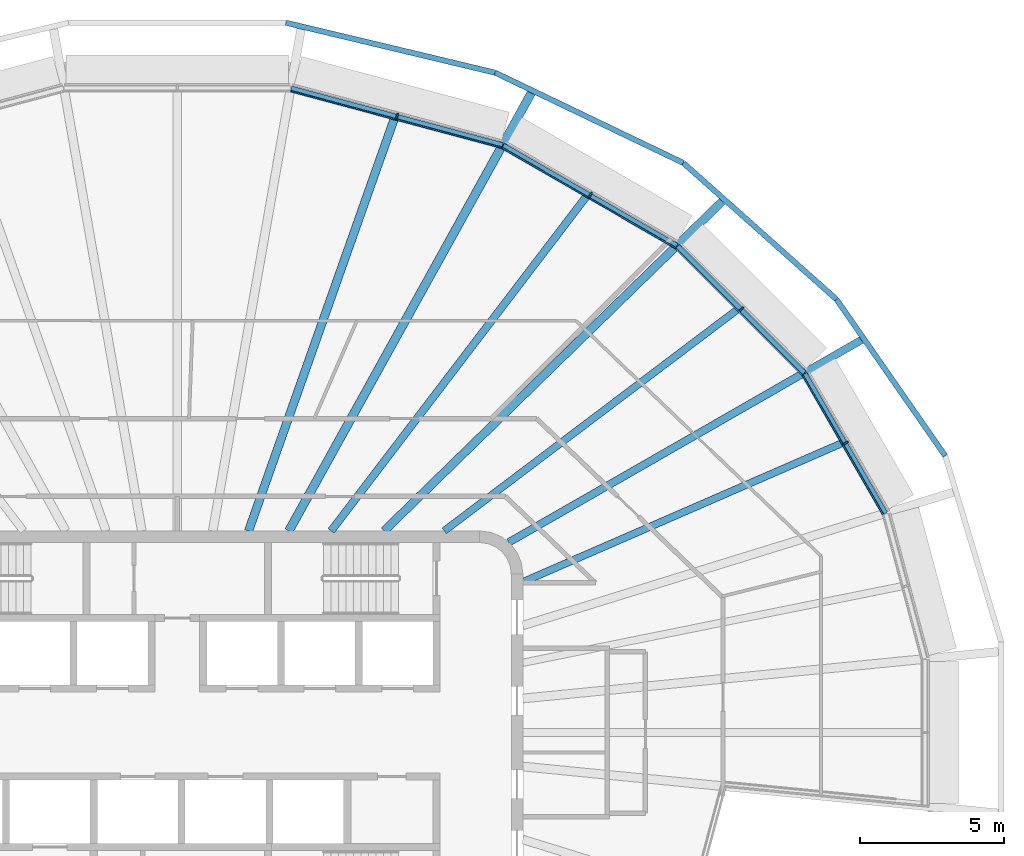
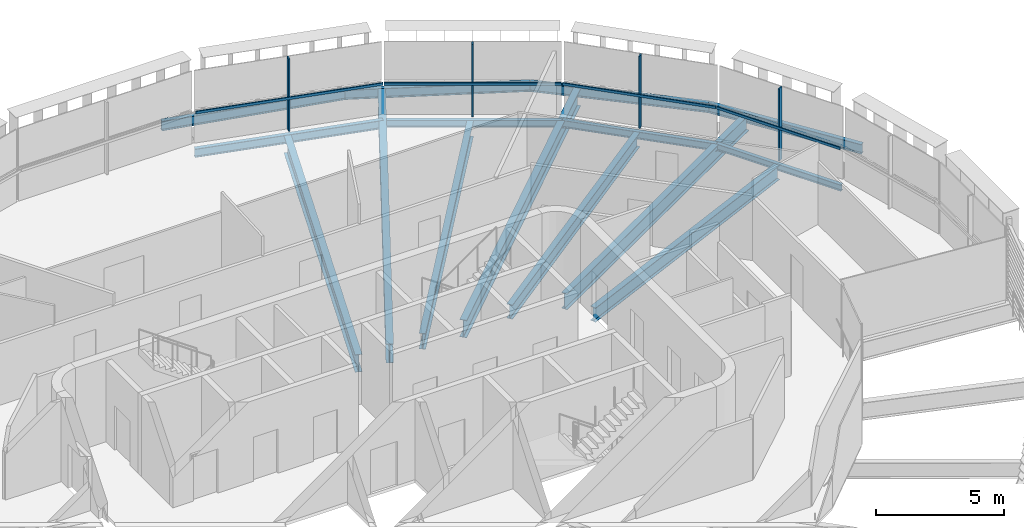
# One storey, part 6 of 18: 15 beams, 8 members, 4 elements without a shape of their own.
"""IFC4 building model written with IfcOpenShell, lengths in metres."""

from ifc_helpers import new_model, si_unit, direction, frame, origin, origin_2d, place, context, subcontext, project, spatial, rectangle, i_section, extrude, material, layer, layer_set, material_profile, profile_set, type_object, element, aggregate, save


model = new_model("IFC4")

# Units and contexts
model_context = context("Model", 3, precision=1e-05, world=origin(), true_north=direction((0.0, 1.0)))
body_context = subcontext(model_context, "Body", "Model", "MODEL_VIEW")
ifc_project = project(units=[si_unit("LENGTHUNIT", "METRE"), si_unit("AREAUNIT", "SQUARE_METRE"), si_unit("VOLUMEUNIT", "CUBIC_METRE"), si_unit("PLANEANGLEUNIT", "RADIAN"), si_unit("MASSUNIT", "GRAM", prefix="KILO")], contexts=[model_context])

# Site, building, storey
site_placement = place(None, origin())
site = spatial("IfcSite", under=ifc_project, at=site_placement, CompositionType="ELEMENT")
building_placement = place(site_placement, origin())
building = spatial("IfcBuilding", under=site, at=building_placement, Name="Sahrelin Media Tower", CompositionType="ELEMENT")
storey_placement = place(building_placement, frame((0.0, 0.0, 308.39990234375)))
storey = spatial("IfcBuildingStorey", under=building, at=storey_placement, Name="L68", CompositionType="ELEMENT", Elevation=308.39990234375)

# Beams
ifc_material_1 = material(Name="Steel S355", Category="steel")
ifc_material_profile_1 = material_profile(ifc_material_1, i_section(OverallWidth=0.1650390625, OverallDepth=0.303466796875, WebThickness=0.006103515625, FlangeThickness=0.01025390625, FilletRadius=0.0087890625, at=origin_2d()), Name="UB 305x165x40")
ifc_profile_set_1 = profile_set([ifc_material_profile_1], Name="Steel S355")
beam_type_1 = type_object("IfcBeamType", Name="Edge beam EB2", PredefinedType="BEAM", material=ifc_profile_set_1)
beam_1_placement = place(storey_placement, frame((21.78857421875, 12.460693359375, -0.301513671875), z_axis=(0.500004352405, -0.866022890907, 0.0), x_axis=(0.866022890907, 0.500004352405, 0.0)))
element("IfcBeam", 1, at=beam_1_placement, inside=storey, type_object=beam_type_1, Name="Edge beam L68-19", PredefinedType="BEAM", context=body_context, shape_type="SweptSolid", body=[
    extrude(i_section(OverallWidth=0.1650390625, OverallDepth=0.303466796875, WebThickness=0.006103515625, FlangeThickness=0.01025390625, FilletRadius=0.0087890625, at=origin_2d()), origin(), (0.0, 0.0, 1.0), 5.59765625),
])
ifc_material_profile_2 = material_profile(ifc_material_1, i_section(OverallWidth=0.17138671875, OverallDepth=0.35498046875, WebThickness=0.00732421875, FlangeThickness=0.011474609375, FilletRadius=0.01025390625, at=origin_2d()), Name="UB 356x171x51")
ifc_profile_set_2 = profile_set([ifc_material_profile_2], Name="Steel S355")
beam_type_2 = type_object("IfcBeamType", Name="Edge beam EB3", PredefinedType="BEAM", material=ifc_profile_set_2)
beam_2_placement = place(storey_placement, frame((11.31884765625, 20.382080078125, -0.327392578125), z_axis=(0.866025013567, -0.500000675876, 0.0), x_axis=(0.500000675876, 0.866025013567, 0.0)))
element("IfcBeam", 2, at=beam_2_placement, inside=storey, type_object=beam_type_2, Name="Edge beam L68-17", PredefinedType="BEAM", context=body_context, shape_type="SweptSolid", body=[
    extrude(i_section(OverallWidth=0.17138671875, OverallDepth=0.35498046875, WebThickness=0.00732421875, FlangeThickness=0.011474609375, FilletRadius=0.01025390625, at=origin_2d()), origin(), (0.0, 0.0, 1.0), 6.962890625),
])
beam_3_placement = place(storey_placement, frame((17.37158203125, 16.883056640625, -0.327392578125), z_axis=(0.707106781187, -0.707106781187, 0.0), x_axis=(0.707106781187, 0.707106781187, 0.0)))
element("IfcBeam", 3, at=beam_3_placement, inside=storey, type_object=beam_type_2, Name="Edge beam L68-18", PredefinedType="BEAM", context=body_context, shape_type="SweptSolid", body=[
    extrude(i_section(OverallWidth=0.17138671875, OverallDepth=0.35498046875, WebThickness=0.00732421875, FlangeThickness=0.011474609375, FilletRadius=0.01025390625, at=origin_2d()), origin(), (0.0, 0.0, 1.0), 6.2216796875),
])
ifc_material_profile_3 = material_profile(ifc_material_1, i_section(OverallWidth=0.177978515625, OverallDepth=0.406494140625, WebThickness=0.0078125, FlangeThickness=0.0126953125, FilletRadius=0.01025390625, at=origin_2d()), Name="UB 406x178x60")
ifc_profile_set_3 = profile_set([ifc_material_profile_3], Name="Steel S355")
beam_type_3 = type_object("IfcBeamType", Name="Edge beam EB4", PredefinedType="BEAM", material=ifc_profile_set_3)
beam_4_placement = place(storey_placement, frame((3.954345703125, 22.359130859375, -0.35302734375), z_axis=(0.965929690155, -0.258804624528, 0.0), x_axis=(0.258804624528, 0.965929690155, 0.0)))
element("IfcBeam", 4, at=beam_4_placement, inside=storey, type_object=beam_type_3, Name="Edge beam L68-16", PredefinedType="BEAM", context=body_context, shape_type="SweptSolid", body=[
    extrude(i_section(OverallWidth=0.177978515625, OverallDepth=0.406494140625, WebThickness=0.0078125, FlangeThickness=0.0126953125, FilletRadius=0.01025390625, at=origin_2d()), origin(), (0.0, 0.0, 1.0), 7.5966796875),
])

# Curtain wall, member
ifc_material_2 = material(Name="Champagne anodised aluminium 6063-T6", Category="aluminium")
ifc_layer = layer(ifc_material_2, 0.14990234375)
ifc_layer_set = layer_set([ifc_layer], Name="Tower ribbon curtain wall")
curtain_wall_type = type_object("IfcCurtainWallType", Name="Tower ribbon curtain wall", PredefinedType="NOTDEFINED", material=ifc_layer_set)
curtain_wall_1_placement = place(storey_placement, frame((23.31787109375, 10.11181640625, 0.0), z_axis=(0.0, 0.0, 1.0), x_axis=(1.0, 0.0, 0.0)))
curtain_wall_1 = element("IfcCurtainWall", 5, at=curtain_wall_1_placement, inside=storey, type_object=curtain_wall_type, Name="L68:CW:L68-02", PredefinedType="NOTDEFINED")
ifc_material_profile_4 = material_profile(ifc_material_2, rectangle(XDim=0.06005859375, YDim=0.199951171875, at=origin_2d()), Name="Mullion 60x200")
ifc_profile_set_4 = profile_set([ifc_material_profile_4], Name="Champagne anodised aluminium 6063-T6")
member_type_1 = type_object("IfcMemberType", Name="Mullion 60x200 CW1C", PredefinedType="MULLION", material=ifc_profile_set_4)
member_1_placement = place(storey_placement, frame((23.214111328125, 10.052001953125, 0.0), z_axis=(0.0, 0.0, 1.0), x_axis=(-0.499990930976, 0.866030639725, 0.0)))
member_1 = element("IfcMember", 6, at=member_1_placement, type_object=member_type_1, Name="L68:CWM:L68-02", PredefinedType="MULLION", context=body_context, shape_type="SweptSolid", body=[
    extrude(rectangle(XDim=0.06005859375, YDim=0.199951171875, at=origin_2d()), origin(), (0.0, 0.0, 1.0), 3.44873046875),
])

curtain_wall_2_placement = place(storey_placement, frame((19.677490234375, 14.789306640625, 0.0), z_axis=(0.0, 0.0, 1.0), x_axis=(1.0, 0.0, 0.0)))
curtain_wall_2 = element("IfcCurtainWall", 7, at=curtain_wall_2_placement, inside=storey, type_object=curtain_wall_type, Name="L68:CW:L68-03", PredefinedType="NOTDEFINED")
member_2_placement = place(storey_placement, frame((19.592529296875, 14.70458984375, 0.0), z_axis=(0.0, 0.0, 1.0), x_axis=(-0.707106781187, 0.707106781187, 0.0)))
member_2 = element("IfcMember", 8, at=member_2_placement, type_object=member_type_1, Name="L68:CWM:L68-03", PredefinedType="MULLION", context=body_context, shape_type="SweptSolid", body=[
    extrude(rectangle(XDim=0.06005859375, YDim=0.199951171875, at=origin_2d()), origin(), (0.0, 0.0, 1.0), 3.44873046875),
])

curtain_wall_3_placement = place(storey_placement, frame((14.408935546875, 18.771240234375, 0.0), z_axis=(0.0, 0.0, 1.0), x_axis=(1.0, 0.0, 0.0)))
curtain_wall_3 = element("IfcCurtainWall", 9, at=curtain_wall_3_placement, inside=storey, type_object=curtain_wall_type, Name="L68:CW:L68-04", PredefinedType="NOTDEFINED")
member_3_placement = place(storey_placement, frame((14.348876953125, 18.667236328125, 0.0), z_axis=(0.0, 0.0, 1.0), x_axis=(-0.866028894422, 0.49999395399, 0.0)))
member_3 = element("IfcMember", 10, at=member_3_placement, type_object=member_type_1, Name="L68:CWM:L68-04", PredefinedType="MULLION", context=body_context, shape_type="SweptSolid", body=[
    extrude(rectangle(XDim=0.06005859375, YDim=0.199951171875, at=origin_2d()), origin(), (0.0, 0.0, 1.0), 3.44873046875),
])

curtain_wall_4_placement = place(storey_placement, frame((7.662109375, 21.52099609375, 0.0), z_axis=(0.0, 0.0, 1.0), x_axis=(1.0, 0.0, 0.0)))
curtain_wall_4 = element("IfcCurtainWall", 11, at=curtain_wall_4_placement, inside=storey, type_object=curtain_wall_type, Name="L68:CW:L68-05", PredefinedType="NOTDEFINED")
member_4_placement = place(storey_placement, frame((7.631103515625, 21.405029296875, 0.0), z_axis=(0.0, 0.0, 1.0), x_axis=(-0.965923115889, 0.25882916024, 0.0)))
member_4 = element("IfcMember", 12, at=member_4_placement, type_object=member_type_1, Name="L68:CWM:L68-05", PredefinedType="MULLION", context=body_context, shape_type="SweptSolid", body=[
    extrude(rectangle(XDim=0.06005859375, YDim=0.199951171875, at=origin_2d()), origin(), (0.0, 0.0, 1.0), 3.44873046875),
])

# Beams
ifc_material_profile_5 = material_profile(ifc_material_1, i_section(OverallWidth=0.291748046875, OverallDepth=0.8349609375, WebThickness=0.013916015625, FlangeThickness=0.018798828125, FilletRadius=0.017822265625, at=origin_2d()), Name="UB 838x292x176")
ifc_profile_set_5 = profile_set([ifc_material_profile_5], Name="Steel S355")
beam_type_4 = type_object("IfcBeamType", Name="Radial primary beam PB10", PredefinedType="BEAM", material=ifc_profile_set_5)
beam_5_placement = place(storey_placement, frame((7.18115234375, 7.0, -0.5673828125), z_axis=(0.716079394393, 0.69801883995, 0.0), x_axis=(-0.69801883995, 0.716079394393, 0.0)))
element("IfcBeam", 13, at=beam_5_placement, inside=storey, type_object=beam_type_4, Name="Radial beam L68-04", PredefinedType="BEAM", context=body_context, shape_type="SweptSolid", body=[
    extrude(i_section(OverallWidth=0.291748046875, OverallDepth=0.8349609375, WebThickness=0.013916015625, FlangeThickness=0.018798828125, FilletRadius=0.017822265625, at=origin_2d()), origin(), (0.0, 0.0, 1.0), 16.397216796875),
])
ifc_material_profile_6 = material_profile(ifc_material_1, i_section(OverallWidth=0.30322265625, OverallDepth=0.903076171875, WebThickness=0.01513671875, FlangeThickness=0.020263671875, FilletRadius=0.01904296875, at=origin_2d()), Name="UB 914x305x201")
ifc_profile_set_6 = profile_set([ifc_material_profile_6], Name="Steel S355")
beam_type_5 = type_object("IfcBeamType", Name="Radial primary beam PB11", PredefinedType="BEAM", material=ifc_profile_set_6)
beam_6_placement = place(storey_placement, frame((3.875, 7.0, -0.601318359375), z_axis=(0.484314730832, 0.874893845846, 0.0), x_axis=(-0.874893845846, 0.484314730832, 0.0)))
element("IfcBeam", 14, at=beam_6_placement, inside=storey, type_object=beam_type_5, Name="Radial beam L68-05", PredefinedType="BEAM", context=body_context, shape_type="SweptSolid", body=[
    extrude(i_section(OverallWidth=0.30322265625, OverallDepth=0.903076171875, WebThickness=0.01513671875, FlangeThickness=0.020263671875, FilletRadius=0.01904296875, at=origin_2d()), origin(), (0.0, 0.0, 1.0), 17.377685546875),
])
ifc_material_profile_7 = material_profile(ifc_material_1, i_section(OverallWidth=0.26513671875, OverallDepth=0.75390625, WebThickness=0.0126953125, FlangeThickness=0.017578125, FilletRadius=0.0166015625, at=origin_2d()), Name="UB 762x267x147")
ifc_profile_set_7 = profile_set([ifc_material_profile_7], Name="Steel S355")
beam_type_6 = type_object("IfcBeamType", Name="Radial primary beam PB9", PredefinedType="BEAM", material=ifc_profile_set_7)
beam_7_placement = place(storey_placement, frame((11.507080078125, 6.601806640625, -0.52685546875), z_axis=(0.86737459945, 0.497655808998, 0.0), x_axis=(-0.497655808998, 0.86737459945, 0.0)))
element("IfcBeam", 15, at=beam_7_placement, inside=storey, type_object=beam_type_6, Name="Radial beam L68-03", PredefinedType="BEAM", context=body_context, shape_type="SweptSolid", body=[
    extrude(i_section(OverallWidth=0.26513671875, OverallDepth=0.75390625, WebThickness=0.0126953125, FlangeThickness=0.017578125, FilletRadius=0.0166015625, at=origin_2d()), origin(), (0.0, 0.0, 1.0), 14.119384765625),
])
ifc_material_profile_8 = material_profile(ifc_material_1, i_section(OverallWidth=0.291748046875, OverallDepth=0.8349609375, WebThickness=0.013916015625, FlangeThickness=0.018798828125, FilletRadius=0.017822265625, at=origin_2d()), Name="UB 838x292x176")
ifc_profile_set_8 = profile_set([ifc_material_profile_8], Name="Steel S355")
beam_type_7 = type_object("IfcBeamType", Name="Radial secondary beam SB10", PredefinedType="BEAM", material=ifc_profile_set_8)
beam_8_placement = place(storey_placement, frame((2.47509765625, 7.0, -0.5673828125), z_axis=(0.333328328269, 0.942810811125, 0.0), x_axis=(-0.942810811125, 0.333328328269, 0.0)))
element("IfcBeam", 16, at=beam_8_placement, inside=storey, type_object=beam_type_7, Name="Secondary beam L68-05", PredefinedType="BEAM", context=body_context, shape_type="SweptSolid", body=[
    extrude(i_section(OverallWidth=0.291748046875, OverallDepth=0.8349609375, WebThickness=0.013916015625, FlangeThickness=0.018798828125, FilletRadius=0.017822265625, at=origin_2d()), origin(), (0.0, 0.0, 1.0), 15.176025390625),
])
ifc_material_profile_9 = material_profile(ifc_material_1, i_section(OverallWidth=0.2529296875, OverallDepth=0.677978515625, WebThickness=0.01171875, FlangeThickness=0.01611328125, FilletRadius=0.01513671875, at=origin_2d()), Name="UB 686x254x125")
ifc_profile_set_9 = profile_set([ifc_material_profile_9], Name="Steel S355")
beam_type_8 = type_object("IfcBeamType", Name="Radial secondary beam SB8", PredefinedType="BEAM", material=ifc_profile_set_9)
beam_9_placement = place(storey_placement, frame((12.0, 5.2236328125, -0.489013671875), z_axis=(0.916894042518, 0.399130698888, 0.0), x_axis=(-0.399130698888, 0.916894042518, 0.0)))
element("IfcBeam", 17, at=beam_9_placement, inside=storey, type_object=beam_type_8, Name="Secondary beam L68-02", PredefinedType="BEAM", context=body_context, shape_type="SweptSolid", body=[
    extrude(i_section(OverallWidth=0.2529296875, OverallDepth=0.677978515625, WebThickness=0.01171875, FlangeThickness=0.01611328125, FilletRadius=0.01513671875, at=origin_2d()), origin(), (0.0, 0.0, 1.0), 12.090576171875),
])
beam_10_placement = place(storey_placement, frame((9.270263671875, 7.0, -0.489013671875), z_axis=(0.798045502139, 0.602597192589, 0.0), x_axis=(-0.602597192589, 0.798045502139, 0.0)))
element("IfcBeam", 18, at=beam_10_placement, inside=storey, type_object=beam_type_8, Name="Secondary beam L68-03", PredefinedType="BEAM", context=body_context, shape_type="SweptSolid", body=[
    extrude(i_section(OverallWidth=0.2529296875, OverallDepth=0.677978515625, WebThickness=0.01171875, FlangeThickness=0.01611328125, FilletRadius=0.01513671875, at=origin_2d()), origin(), (0.0, 0.0, 1.0), 12.753662109375),
])
ifc_material_profile_10 = material_profile(ifc_material_1, i_section(OverallWidth=0.26513671875, OverallDepth=0.75390625, WebThickness=0.0126953125, FlangeThickness=0.017578125, FilletRadius=0.0166015625, at=origin_2d()), Name="UB 762x267x147")
ifc_profile_set_10 = profile_set([ifc_material_profile_10], Name="Steel S355")
beam_type_9 = type_object("IfcBeamType", Name="Radial secondary beam SB9", PredefinedType="BEAM", material=ifc_profile_set_10)
beam_11_placement = place(storey_placement, frame((5.342041015625, 7.0, -0.52685546875), z_axis=(0.60668637897, 0.794941279324, 0.0), x_axis=(-0.794941279324, 0.60668637897, 0.0)))
element("IfcBeam", 19, at=beam_11_placement, inside=storey, type_object=beam_type_9, Name="Secondary beam L68-04", PredefinedType="BEAM", context=body_context, shape_type="SweptSolid", body=[
    extrude(i_section(OverallWidth=0.26513671875, OverallDepth=0.75390625, WebThickness=0.0126953125, FlangeThickness=0.017578125, FilletRadius=0.0166015625, at=origin_2d()), origin(), (0.0, 0.0, 1.0), 14.61181640625),
])
ifc_material_profile_11 = material_profile(ifc_material_1, i_section(OverallWidth=0.1904296875, OverallDepth=0.45703125, WebThickness=0.009033203125, FlangeThickness=0.014404296875, FilletRadius=0.01025390625, at=origin_2d()), Name="UB 457x191x74")
ifc_profile_set_11 = profile_set([ifc_material_profile_11], Name="Steel S355")
beam_type_10 = type_object("IfcBeamType", Name="Tie chord TC5", PredefinedType="BEAM", material=ifc_profile_set_11)
beam_12_placement = place(storey_placement, frame((26.664306640625, 9.606689453125, -0.37841796875), z_axis=(-0.570612314309, 0.821219572806, 0.0), x_axis=(-0.821219572806, -0.570612314309, 0.0)))
element("IfcBeam", 20, at=beam_12_placement, inside=storey, type_object=beam_type_10, Name="Tie chord L68-02", PredefinedType="BEAM", context=body_context, shape_type="SweptSolid", body=[
    extrude(i_section(OverallWidth=0.1904296875, OverallDepth=0.45703125, WebThickness=0.009033203125, FlangeThickness=0.014404296875, FilletRadius=0.01025390625, at=origin_2d()), origin(), (0.0, 0.0, 1.0), 6.61376953125),
])
beam_13_placement = place(storey_placement, frame((22.890380859375, 15.0380859375, -0.37841796875), z_axis=(-0.746646529898, 0.665220985381, 0.0), x_axis=(-0.665220985381, -0.746646529898, 0.0)))
element("IfcBeam", 21, at=beam_13_placement, inside=storey, type_object=beam_type_10, Name="Tie chord L68-03", PredefinedType="BEAM", context=body_context, shape_type="SweptSolid", body=[
    extrude(i_section(OverallWidth=0.1904296875, OverallDepth=0.45703125, WebThickness=0.009033203125, FlangeThickness=0.014404296875, FilletRadius=0.01025390625, at=origin_2d()), origin(), (0.0, 0.0, 1.0), 7.12109375),
])
beam_14_placement = place(storey_placement, frame((17.573486328125, 19.775146484375, -0.37841796875), z_axis=(-0.90162182646, 0.432525238629, 0.0), x_axis=(-0.432525238629, -0.90162182646, 0.0)))
element("IfcBeam", 22, at=beam_14_placement, inside=storey, type_object=beam_type_10, Name="Tie chord L68-04", PredefinedType="BEAM", context=body_context, shape_type="SweptSolid", body=[
    extrude(i_section(OverallWidth=0.1904296875, OverallDepth=0.45703125, WebThickness=0.009033203125, FlangeThickness=0.014404296875, FilletRadius=0.01025390625, at=origin_2d()), origin(), (0.0, 0.0, 1.0), 7.249755859375),
])
beam_15_placement = place(storey_placement, frame((11.036865234375, 22.910888671875, -0.37841796875), z_axis=(-0.972666766024, 0.232205431184, 0.0), x_axis=(-0.232205431184, -0.972666766024, 0.0)))
element("IfcBeam", 23, at=beam_15_placement, inside=storey, type_object=beam_type_10, Name="Tie chord L68-05", PredefinedType="BEAM", context=body_context, shape_type="SweptSolid", body=[
    extrude(i_section(OverallWidth=0.1904296875, OverallDepth=0.45703125, WebThickness=0.009033203125, FlangeThickness=0.014404296875, FilletRadius=0.01025390625, at=origin_2d()), origin(), (0.0, 0.0, 1.0), 7.467041015625),
])

# Member
ifc_material_profile_12 = material_profile(ifc_material_2, rectangle(XDim=0.050048828125, YDim=0.1201171875, at=origin_2d()), Name="Transom 50x120")
ifc_profile_set_12 = profile_set([ifc_material_profile_12], Name="Champagne anodised aluminium 6063-T6")
member_type_2 = type_object("IfcMemberType", Name="Transom 50x120 CW1C", PredefinedType="USERDEFINED", material=ifc_profile_set_12)
member_5_placement = place(storey_placement, frame((24.497314453125, 7.5791015625, 1.60009765625), z_axis=(-0.500007201891, 0.866021245731, 0.0), x_axis=(-0.866021245731, -0.500007201891, 0.0)))
member_5 = element("IfcMember", 24, at=member_5_placement, type_object=member_type_2, Name="L68:CWT:L68-02", ObjectType="TRANSOM", PredefinedType="USERDEFINED", context=body_context, shape_type="SweptSolid", body=[
    extrude(rectangle(XDim=0.050048828125, YDim=0.1201171875, at=origin_2d()), origin(), (0.0, 0.0, 1.0), 5.56640625),
])

aggregate(curtain_wall_1, [member_1, member_5])

member_6_placement = place(storey_placement, frame((21.69287109375, 12.427490234375, 1.60009765625), z_axis=(-0.707106781187, 0.707106781187, 0.0), x_axis=(-0.707106781187, -0.707106781187, 0.0)))
member_6 = element("IfcMember", 25, at=member_6_placement, type_object=member_type_2, Name="L68:CWT:L68-03", ObjectType="TRANSOM", PredefinedType="USERDEFINED", context=body_context, shape_type="SweptSolid", body=[
    extrude(rectangle(XDim=0.050048828125, YDim=0.1201171875, at=origin_2d()), origin(), (0.0, 0.0, 1.0), 6.190185546875),
])

aggregate(curtain_wall_2, [member_2, member_6])

member_7_placement = place(storey_placement, frame((17.28759765625, 16.826171875, 1.60009765625), z_axis=(-0.866030148178, 0.49999178238, 0.0), x_axis=(-0.49999178238, -0.866030148178, 0.0)))
member_7 = element("IfcMember", 26, at=member_7_placement, type_object=member_type_2, Name="L68:CWT:L68-04", ObjectType="TRANSOM", PredefinedType="USERDEFINED", context=body_context, shape_type="SweptSolid", body=[
    extrude(rectangle(XDim=0.050048828125, YDim=0.1201171875, at=origin_2d()), origin(), (0.0, 0.0, 1.0), 6.93115234375),
])

aggregate(curtain_wall_3, [member_3, member_7])

member_8_placement = place(storey_placement, frame((11.25244140625, 20.305419921875, 1.60009765625), z_axis=(-0.965925723654, 0.258819428142, 0.0), x_axis=(-0.258819428142, -0.965925723654, 0.0)))
member_8 = element("IfcMember", 27, at=member_8_placement, type_object=member_type_2, Name="L68:CWT:L68-05", ObjectType="TRANSOM", PredefinedType="USERDEFINED", context=body_context, shape_type="SweptSolid", body=[
    extrude(rectangle(XDim=0.050048828125, YDim=0.1201171875, at=origin_2d()), origin(), (0.0, 0.0, 1.0), 7.565185546875),
])

aggregate(curtain_wall_4, [member_4, member_8])

save(model, "model.ifc")
